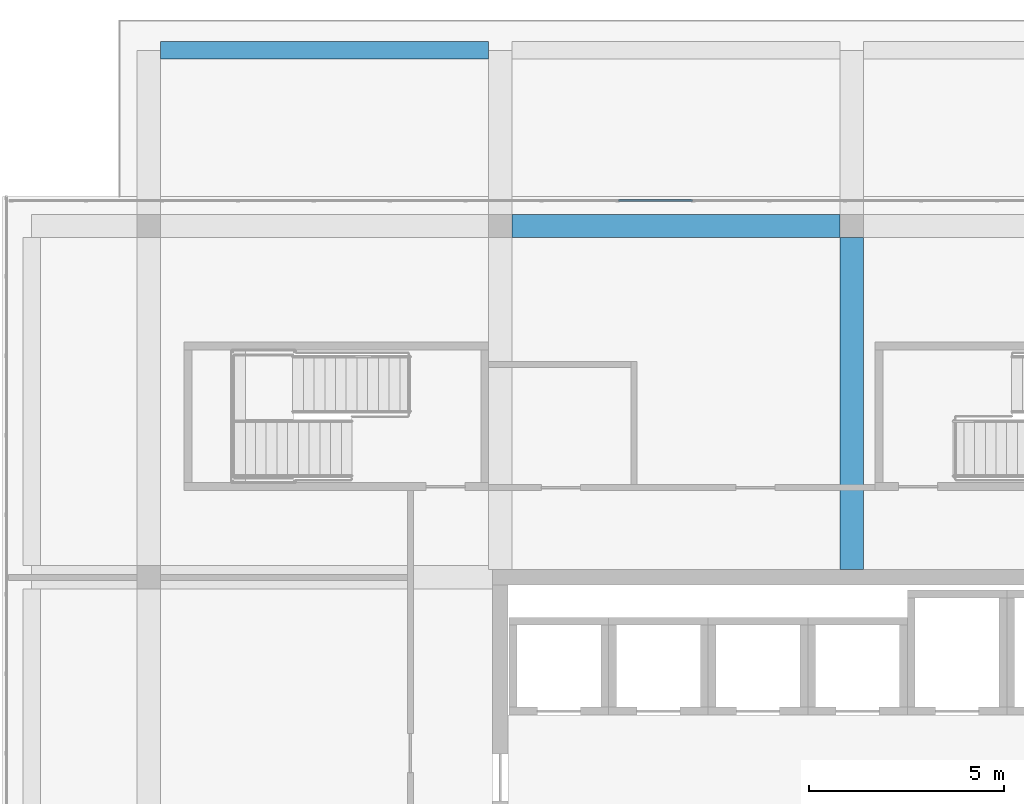
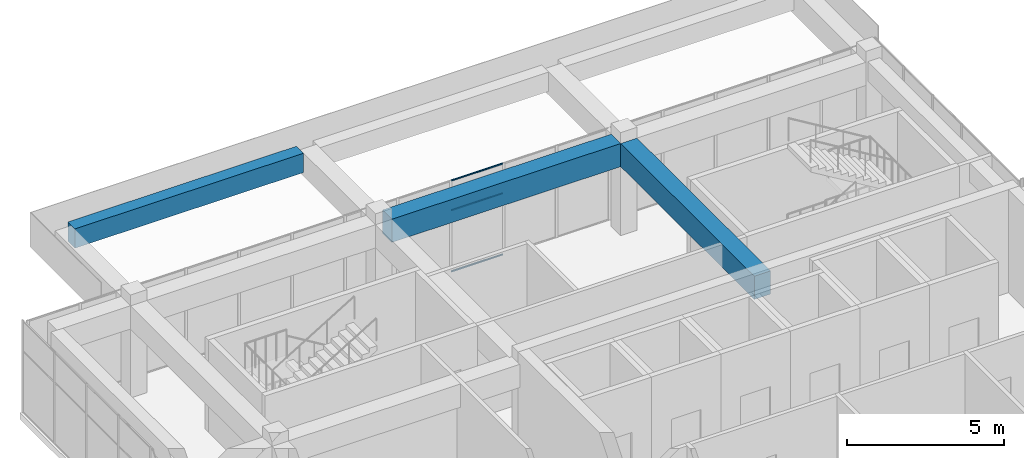
# One storey, part 25 of 35: 3 beams, 3 members, 1 element without a shape of its own.
"""IFC4 building model written with IfcOpenShell, lengths in metres."""

from ifc_helpers import new_model, si_unit, direction, frame, origin, origin_2d, place, context, subcontext, project, spatial, rectangle, hollow_rectangle, extrude, material, layer, layer_set, material_profile, profile_set, type_object, element, aggregate, save


model = new_model("IFC4")

# Units and contexts
model_context = context("Model", 3, precision=1e-05, world=origin(), true_north=direction((0.0, 1.0)))
body_context = subcontext(model_context, "Body", "Model", "MODEL_VIEW")
ifc_project = project(units=[si_unit("LENGTHUNIT", "METRE"), si_unit("AREAUNIT", "SQUARE_METRE"), si_unit("VOLUMEUNIT", "CUBIC_METRE"), si_unit("PLANEANGLEUNIT", "RADIAN"), si_unit("MASSUNIT", "GRAM", prefix="KILO")], contexts=[model_context])

# Site, building, storey
site_placement = place(None, origin())
site = spatial("IfcSite", under=ifc_project, at=site_placement, CompositionType="ELEMENT")
building_placement = place(site_placement, origin())
building = spatial("IfcBuilding", under=site, at=building_placement, Name="Tuart Plaza Theatre", CompositionType="ELEMENT")
storey_placement = place(building_placement, frame((0.0, 0.0, 49.5)))
storey = spatial("IfcBuildingStorey", under=building, at=storey_placement, Name="L12", CompositionType="ELEMENT", Elevation=49.5)

# Beams
ifc_material_1 = material(Name="Concrete N40 (40 MPa)", Category="concrete")
ifc_material_profile_1 = material_profile(ifc_material_1, rectangle(XDim=0.449951171875, YDim=0.75, at=origin_2d()), Name="BEAM 450x750 Concrete N40 (40 MPa)")
ifc_profile_set_1 = profile_set([ifc_material_profile_1], Name="Concrete N40 (40 MPa)")
beam_type_1 = type_object("IfcBeamType", Name="BEAM 450x750 Concrete N40 (40 MPa)", PredefinedType="BEAM", material=ifc_profile_set_1)
beam_1_placement = place(storey_placement, frame((114.300048828125, 96.5, 3.205078125), z_axis=(1.0, 0.0, 0.0), x_axis=(0.0, 1.0, 0.0)))
element("IfcBeam", 1, at=beam_1_placement, inside=storey, type_object=beam_type_1, Name="RB312", PredefinedType="BEAM", context=body_context, shape_type="SweptSolid", body=[
    extrude(rectangle(XDim=0.449951171875, YDim=0.75, at=origin_2d()), origin(), (0.0, 0.0, 1.0), 8.39990234375),
])
ifc_material_2 = material(Name="Concrete N40 (40 MPa)", Category="concrete")
ifc_material_profile_2 = material_profile(ifc_material_2, rectangle(XDim=0.60009765625, YDim=0.89990234375, at=origin_2d()), Name="BEAM 600x900 Concrete N40 (40 MPa)")
ifc_profile_set_2 = profile_set([ifc_material_profile_2], Name="Concrete N40 (40 MPa)")
beam_type_2 = type_object("IfcBeamType", Name="BEAM 600x900 Concrete N40 (40 MPa)", PredefinedType="BEAM", material=ifc_profile_set_2)
beam_2_placement = place(storey_placement, frame((123.300048828125, 92.0, 3.1298828125), z_axis=(1.0, 0.0, 0.0), x_axis=(0.0, 1.0, 0.0)))
element("IfcBeam", 2, at=beam_2_placement, inside=storey, type_object=beam_type_2, Name="RB299", PredefinedType="BEAM", context=body_context, shape_type="SweptSolid", body=[
    extrude(rectangle(XDim=0.60009765625, YDim=0.89990234375, at=origin_2d()), origin(), (0.0, 0.0, 1.0), 8.39990234375),
])
beam_3_placement = place(storey_placement, frame((132.0, 83.199951171875, 3.1298828125), z_axis=(0.0, 1.0, 0.0), x_axis=(-1.0, 0.0, 0.0)))
element("IfcBeam", 3, at=beam_3_placement, inside=storey, type_object=beam_type_2, Name="RB302", PredefinedType="BEAM", context=body_context, shape_type="SweptSolid", body=[
    extrude(rectangle(XDim=0.60009765625, YDim=0.89990234375, at=origin_2d()), origin(), (0.0, 0.0, 1.0), 8.5),
])

# Curtain wall, members
ifc_material_3 = material(Name="Aluminium and glass", Category="aluminium")
ifc_layer = layer(ifc_material_3, 0.10009765625)
ifc_layer_set = layer_set([ifc_layer], Name="CURTAIN WALL 2000 module")
curtain_wall_type = type_object("IfcCurtainWallType", Name="CURTAIN WALL 2000 module", PredefinedType="NOTDEFINED", material=ifc_layer_set)
curtain_wall_placement = place(storey_placement, origin())
curtain_wall = element("IfcCurtainWall", 4, at=curtain_wall_placement, inside=storey, type_object=curtain_wall_type, Name="CW105", PredefinedType="NOTDEFINED")
ifc_material_4 = material(Name="Aluminium 6063-T5", Category="aluminium")
ifc_material_profile_3 = material_profile(ifc_material_4, hollow_rectangle(XDim=0.050048828125, YDim=0.050048828125, WallThickness=0.00390625, InnerFilletRadius=0.00390625, OuterFilletRadius=0.008056640625, at=origin_2d()), Name="RHS 50x50x4")
ifc_profile_set_3 = profile_set([ifc_material_profile_3], Name="Aluminium 6063-T5")
member_type = type_object("IfcMemberType", Name="TRANSOM RHS 50x50x4", PredefinedType="USERDEFINED", material=ifc_profile_set_3)
member_1_placement = place(storey_placement, frame((127.918701171875, 92.64990234375, 0.02490234375), z_axis=(-1.0, 0.0, 0.0), x_axis=(0.0, -1.0, 0.0)))
member_1 = element("IfcMember", 5, at=member_1_placement, type_object=member_type, Name="CW105 transom 8.1", ObjectType="TRANSOM", PredefinedType="USERDEFINED", context=body_context, shape_type="SweptSolid", body=[
    extrude(hollow_rectangle(XDim=0.050048828125, YDim=0.050048828125, WallThickness=0.00390625, InnerFilletRadius=0.00390625, OuterFilletRadius=0.008056640625, at=origin_2d()), origin(), (0.0, 0.0, 1.0), 1.893798828125),
])
member_2_placement = place(storey_placement, frame((127.918701171875, 92.64990234375, 2.39990234375), z_axis=(-1.0, 0.0, 0.0), x_axis=(0.0, -1.0, 0.0)))
member_2 = element("IfcMember", 6, at=member_2_placement, type_object=member_type, Name="CW105 transom 8.2", ObjectType="TRANSOM", PredefinedType="USERDEFINED", context=body_context, shape_type="SweptSolid", body=[
    extrude(hollow_rectangle(XDim=0.050048828125, YDim=0.050048828125, WallThickness=0.00390625, InnerFilletRadius=0.00390625, OuterFilletRadius=0.008056640625, at=origin_2d()), origin(), (0.0, 0.0, 1.0), 1.893798828125),
])
member_3_placement = place(storey_placement, frame((127.918701171875, 92.64990234375, 3.554931640625), z_axis=(-1.0, 0.0, 0.0), x_axis=(0.0, -1.0, 0.0)))
member_3 = element("IfcMember", 7, at=member_3_placement, type_object=member_type, Name="CW105 transom 8.3", ObjectType="TRANSOM", PredefinedType="USERDEFINED", context=body_context, shape_type="SweptSolid", body=[
    extrude(hollow_rectangle(XDim=0.050048828125, YDim=0.050048828125, WallThickness=0.00390625, InnerFilletRadius=0.00390625, OuterFilletRadius=0.008056640625, at=origin_2d()), origin(), (0.0, 0.0, 1.0), 1.893798828125),
])
aggregate(curtain_wall, [member_1, member_2, member_3])

save(model, "model.ifc")
